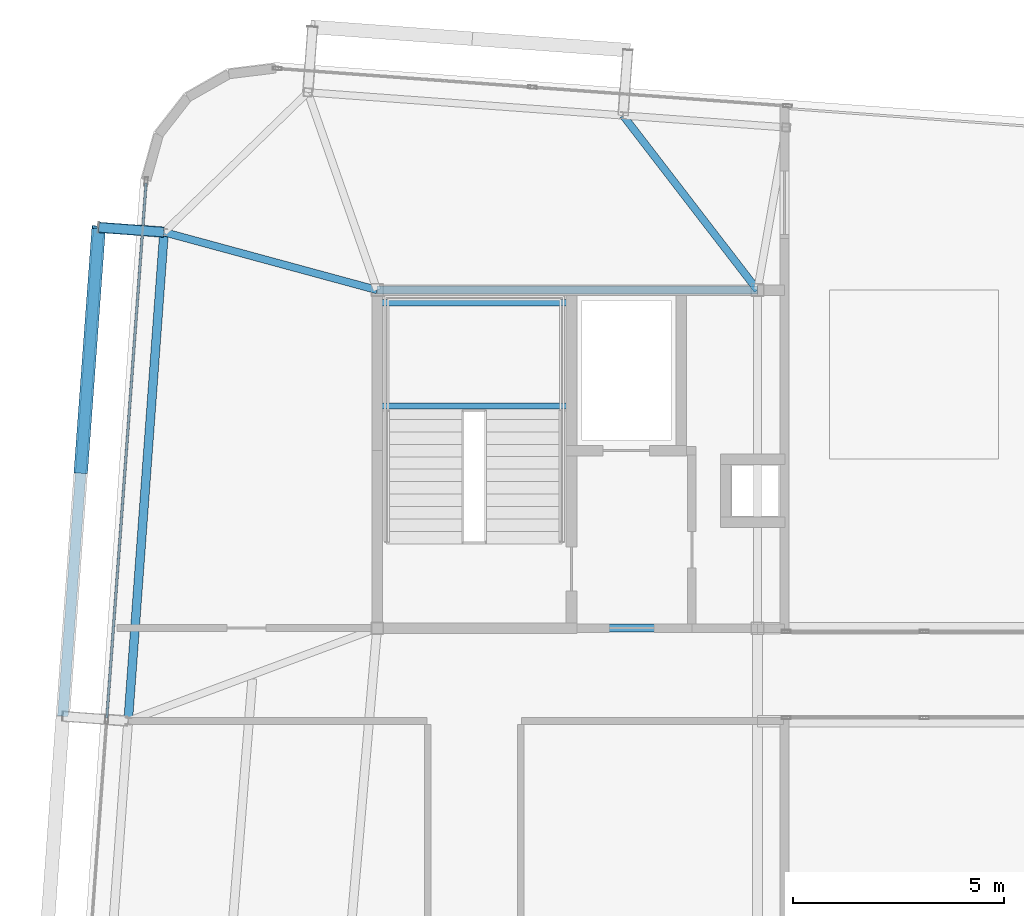
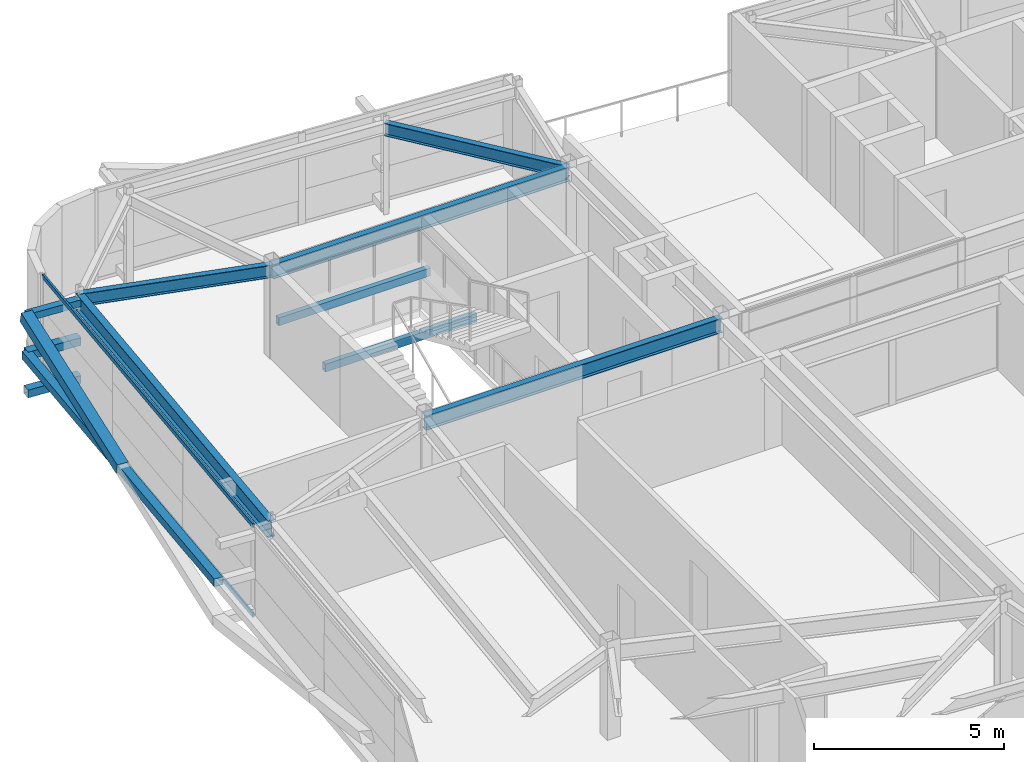
# One storey, part 14 of 36: 7 beams, 7 members, 1 element without a shape of its own.
"""IFC4 building model written with IfcOpenShell, lengths in metres."""

import ifcopenshell
import ifcopenshell.guid

model = None  # the IFC model being written
_history = None  # IfcOwnerHistory: only IFC2X3 demands one
_inside = {}  # id of a spatial element -> (the spatial element, [elements in it])
_under = {}  # id of a project, library or spatial element -> (it, [spatial elements below it])
_declared = {}  # id of a project -> (the project, [libraries it declares])
_typed = {}  # id of a type object -> (the type object, [elements of that type])
_made_of = {}  # id of a material, layer set ... -> (it, [elements and type objects made of it])


def new_model(schema):
    """Start an empty IFC model of exactly this schema.

    Asked for "IFC4X3", IfcOpenShell would pick the latest addendum, in which some entities
    have other attributes; the version numbers below select the first issue.
    IFC2X3 requires an IfcOwnerHistory on every rooted entity: one is made here for all.
    """
    global model, _history
    if schema == "IFC4X3":
        model = ifcopenshell.file(schema_version=(4, 3, 0, 0))
    else:
        model = ifcopenshell.file(schema=schema)
    _inside.clear()
    _under.clear()
    _declared.clear()
    _typed.clear()
    _made_of.clear()
    _history = None
    if model.schema == "IFC2X3":
        org = make("IfcOrganization", Name="unknown")
        user = make(
            "IfcPersonAndOrganization",
            ThePerson=make("IfcPerson", FamilyName="unknown"),
            TheOrganization=org,
        )
        app = make(
            "IfcApplication",
            ApplicationDeveloper=org,
            Version="unknown",
            ApplicationFullName="unknown",
            ApplicationIdentifier="unknown",
        )
        _history = make(
            "IfcOwnerHistory",
            OwningUser=user,
            OwningApplication=app,
            ChangeAction="ADDED",
            CreationDate=0,
        )
    return model


def make(cls, **values):
    """One entity of the class cls with the attributes given. An attribute that is None is left unset."""
    return model.create_entity(
        cls, **{name: value for name, value in values.items() if value is not None}
    )


def rooted(cls, **values):
    """An entity with a GlobalId (a new one), such as an element, a storey or a relation."""
    return make(cls, GlobalId=ifcopenshell.guid.new(), OwnerHistory=_history, **values)


def si_unit(unit_type, name, prefix=None):
    """IfcSIUnit, for example si_unit("LENGTHUNIT", "METRE", prefix="MILLI")."""
    return make("IfcSIUnit", UnitType=unit_type, Prefix=prefix, Name=name)


def assignment(units):
    """IfcUnitAssignment: the units of a project."""
    return None if units is None else make("IfcUnitAssignment", Units=units)


def point(xyz):
    """IfcCartesianPoint."""
    return None if xyz is None else make("IfcCartesianPoint", Coordinates=xyz)


def direction(xyz):
    """IfcDirection."""
    return None if xyz is None else make("IfcDirection", DirectionRatios=xyz)


def frame(location, z_axis=None, x_axis=None):
    """IfcAxis2Placement3D, a coordinate frame: its origin and axes. An axis left out is left unset."""
    return make(
        "IfcAxis2Placement3D",
        Location=point(location),
        Axis=direction(z_axis),
        RefDirection=direction(x_axis),
    )


def frame_2d(location, x_axis=None):
    """IfcAxis2Placement2D, a coordinate frame in the plane: its origin and x axis."""
    return make(
        "IfcAxis2Placement2D", Location=point(location), RefDirection=direction(x_axis)
    )


def origin():
    """The frame at (0, 0, 0) with its axes left unset."""
    return frame((0.0, 0.0, 0.0))


def origin_2d():
    """The frame at (0, 0) in the plane with its x axis left unset."""
    return frame_2d((0.0, 0.0))


def place(relative_to, where):
    """IfcLocalPlacement: puts the frame where relative to a parent placement (None: the world)."""
    return make(
        "IfcLocalPlacement", PlacementRelTo=relative_to, RelativePlacement=where
    )


def context(
    kind, dimensions, precision=None, world=None, true_north=None, identifier=None
):
    """IfcGeometricRepresentationContext, for example the 3D "Model" context."""
    return make(
        "IfcGeometricRepresentationContext",
        ContextIdentifier=identifier,
        ContextType=kind,
        CoordinateSpaceDimension=dimensions,
        Precision=precision,
        WorldCoordinateSystem=world,
        TrueNorth=true_north,
    )


def subcontext(parent, identifier, kind, view, scale=None):
    """IfcGeometricRepresentationSubContext, for example "Body" below "Model"."""
    return make(
        "IfcGeometricRepresentationSubContext",
        ContextIdentifier=identifier,
        ContextType=kind,
        ParentContext=parent,
        TargetScale=scale,
        TargetView=view,
    )


def project(units=None, contexts=None):
    """IfcProject with its units and contexts."""
    return rooted(
        "IfcProject",
        Name="project",
        RepresentationContexts=contexts,
        UnitsInContext=assignment(units),
    )


def spatial(cls, under=None, at=None, **own):
    """A site, building, storey or space (cls), placed at a placement, below another one or the project."""
    s = rooted(cls, ObjectPlacement=at, **own)
    if under is not None:
        _under.setdefault(under.id(), (under, []))[1].append(s)
    return s


def profile(cls, at=None, kind="AREA", **sizes):
    """A parametric profile (cls). Its sizes go by their IFC names, for example OverallWidth=200.0."""
    return make(cls, ProfileType=kind, Position=at, **sizes)


def hollow_rectangle(**sizes):
    """IfcRectangleHollowProfileDef."""
    return profile("IfcRectangleHollowProfileDef", **sizes)


def i_section(**sizes):
    """IfcIShapeProfileDef."""
    return profile("IfcIShapeProfileDef", **sizes)


def extrude(swept, where, along, depth):
    """IfcExtrudedAreaSolid: the profile swept, set in the frame where, extruded along a direction by depth."""
    return make(
        "IfcExtrudedAreaSolid",
        SweptArea=swept,
        Position=where,
        ExtrudedDirection=direction(along),
        Depth=depth,
    )


def shape(context_of_items, identifier, shape_type, items):
    """IfcShapeRepresentation: the items that make up one representation, for example the "Body"."""
    return make(
        "IfcShapeRepresentation",
        ContextOfItems=context_of_items,
        RepresentationIdentifier=identifier,
        RepresentationType=shape_type,
        Items=items,
    )


def source(mapping_origin, context_of_items, identifier, shape_type, items):
    """IfcRepresentationMap: a shape defined once, which mapped items show again and again."""
    return make(
        "IfcRepresentationMap",
        MappingOrigin=mapping_origin,
        MappedRepresentation=shape(context_of_items, identifier, shape_type, items),
    )


def transform(
    local_origin,
    x_axis=None,
    y_axis=None,
    z_axis=None,
    scale=None,
    scale2=None,
    scale3=None,
    uniform=True,
):
    """IfcCartesianTransformationOperator3D, or its non-uniform kind. x_axis, y_axis, z_axis: its Axis1, 2, 3."""
    if uniform:
        return make(
            "IfcCartesianTransformationOperator3D",
            Axis1=direction(x_axis),
            Axis2=direction(y_axis),
            LocalOrigin=point(local_origin),
            Scale=scale,
            Axis3=direction(z_axis),
        )
    return make(
        "IfcCartesianTransformationOperator3DnonUniform",
        Axis1=direction(x_axis),
        Axis2=direction(y_axis),
        LocalOrigin=point(local_origin),
        Scale=scale,
        Axis3=direction(z_axis),
        Scale2=scale2,
        Scale3=scale3,
    )


def mapped(mapping_source, mapping_target):
    """IfcMappedItem: shows the shape of a source again, moved by a transform."""
    return make(
        "IfcMappedItem", MappingSource=mapping_source, MappingTarget=mapping_target
    )


def material(Name=None, Category=None):
    """IfcMaterial."""
    return make("IfcMaterial", Name=Name, Category=Category)


def layer(
    of_material, thickness, ventilated=None, Name=None, Category=None, Priority=None
):
    """IfcMaterialLayer: one layer of a wall or slab, of a material (None: an air gap)."""
    return make(
        "IfcMaterialLayer",
        Material=of_material,
        LayerThickness=thickness,
        IsVentilated=ventilated,
        Name=Name,
        Category=Category,
        Priority=Priority,
    )


def layer_set(layers, Name=None):
    """IfcMaterialLayerSet."""
    return make("IfcMaterialLayerSet", MaterialLayers=layers, LayerSetName=Name)


def material_profile(
    of_material, cross_section, Name=None, Category=None, Priority=None
):
    """IfcMaterialProfile: a cross section and its material."""
    return make(
        "IfcMaterialProfile",
        Name=Name,
        Material=of_material,
        Profile=cross_section,
        Priority=Priority,
        Category=Category,
    )


def profile_set(profiles, Name=None, composite=None):
    """IfcMaterialProfileSet."""
    return make(
        "IfcMaterialProfileSet",
        Name=Name,
        MaterialProfiles=profiles,
        CompositeProfile=composite,
    )


def made_of(thing, what):
    """Note that an element or type object is made of a material, layer set ...; save() writes the relation."""
    if what is not None:
        _made_of.setdefault(what.id(), (what, []))[1].append(thing)
    return thing


def type_object(cls, material=None, **own):
    """A type object (cls), such as IfcWallType, which elements share."""
    return made_of(rooted(cls, **own), material)


def element(
    cls,
    number,
    at=None,
    inside=None,
    cuts=None,
    type_object=None,
    material=None,
    context=None,
    identifier="Body",
    shape_type=None,
    held_by="IfcProductDefinitionShape",
    body=None,
    shapes=None,
    **own,
):
    """One element of the class cls, such as IfcWall. Its Tag is "e" and its number.

    at: its placement. inside: the storey or other place that contains it. cuts: it is an
    opening in that element (IfcRelVoidsElement). A single representation is given by context,
    identifier, shape_type and body (its items); several are given by shapes. held_by: the class
    of the entity that holds the representations. save() writes the other relations.
    """
    e = rooted(cls, Tag="e%d" % number, ObjectPlacement=at, **own)
    if body is not None:
        shapes = [shape(context, identifier, shape_type, body)]
    if shapes is not None:
        e.Representation = make(held_by, Representations=shapes)
    if inside is not None:
        _inside.setdefault(inside.id(), (inside, []))[1].append(e)
    if cuts is not None:
        rooted(
            "IfcRelVoidsElement", RelatingBuildingElement=cuts, RelatedOpeningElement=e
        )
    if type_object is not None:
        _typed.setdefault(type_object.id(), (type_object, []))[1].append(e)
    return made_of(e, material)


def aggregate(whole, parts):
    """IfcRelAggregates: a whole, such as a stair, and the parts it consists of."""
    return rooted("IfcRelAggregates", RelatingObject=whole, RelatedObjects=parts)


def save(model, path):
    """Write the relations noted so far, then the file.

    IfcRelAggregates (storeys below a building ...), IfcRelContainedInSpatialStructure (elements
    in a storey), IfcRelDefinesByType, IfcRelAssociatesMaterial and IfcRelDeclares: one each for
    every whole, place, type object, material and project.
    """
    for whole, parts in _under.values():
        aggregate(whole, parts)
    for where, things in _inside.values():
        rooted(
            "IfcRelContainedInSpatialStructure",
            RelatedElements=things,
            RelatingStructure=where,
        )
    for kind, things in _typed.values():
        rooted("IfcRelDefinesByType", RelatedObjects=things, RelatingType=kind)
    for what, things in _made_of.values():
        rooted("IfcRelAssociatesMaterial", RelatedObjects=things, RelatingMaterial=what)
    for by, libraries in _declared.values():
        rooted("IfcRelDeclares", RelatingContext=by, RelatedDefinitions=libraries)
    model.write(path)


model = new_model("IFC4")

# Units and contexts
model_context = context("Model", 3, precision=1e-05, world=origin(), true_north=direction((0.0, 1.0)))
body_context = subcontext(model_context, "Body", "Model", "MODEL_VIEW")
ifc_project = project(units=[si_unit("LENGTHUNIT", "METRE"), si_unit("AREAUNIT", "SQUARE_METRE"), si_unit("VOLUMEUNIT", "CUBIC_METRE"), si_unit("PLANEANGLEUNIT", "RADIAN"), si_unit("MASSUNIT", "GRAM", prefix="KILO")], contexts=[model_context])

# Site, building, storey
site_placement = place(None, origin())
site = spatial("IfcSite", under=ifc_project, at=site_placement, CompositionType="ELEMENT")
building_placement = place(site_placement, origin())
building = spatial("IfcBuilding", under=site, at=building_placement, Name="Taldren Reach Tower", CompositionType="ELEMENT")
storey_placement = place(building_placement, frame((0.0, 0.0, 227.14990234375)))
storey = spatial("IfcBuildingStorey", under=building, at=storey_placement, Name="L69", CompositionType="ELEMENT", Elevation=227.14990234375)

# Beams
ifc_material_1 = material(Name="Steel Gr 350 (350PLUS)", Category="steel")
ifc_material_profile_1 = material_profile(ifc_material_1, i_section(OverallWidth=0.19091796875, OverallDepth=0.4599609375, WebThickness=0.010009765625, FlangeThickness=0.01611328125, at=origin_2d()), Name="460UB82.1")
ifc_profile_set_1 = profile_set([ifc_material_profile_1], Name="Steel Gr 350 (350PLUS)")
beam_type_1 = type_object("IfcBeamType", Name="BM-UB460A", PredefinedType="BEAM", material=ifc_profile_set_1)
shared_shape_1 = source(origin(), body_context, "Body", "SweptSolid", [
    extrude(i_section(OverallWidth=0.19091796875, OverallDepth=0.4599609375, WebThickness=0.010009765625, FlangeThickness=0.01611328125, at=origin_2d()), origin(), (0.0, 0.0, 1.0), 9.0),
])
for number, where, z_axis, x_axis, name in (
    (1, (19.0, 24.0, 2.7001953125), (1.0, 0.0, 0.0), (0.0, 1.0, 0.0), "Core-spine girder L69-SP01"),
    (2, (19.0, 32.0, 2.7001953125), (1.0, 0.0, 0.0), (0.0, 1.0, 0.0), "Core-spine girder L69-SP04"),
):
    element("IfcBeam", number, at=place(storey_placement, frame(where, z_axis=z_axis, x_axis=x_axis)), inside=storey, type_object=beam_type_1, Name=name, PredefinedType="BEAM", context=body_context, shape_type="MappedRepresentation", body=[
        mapped(shared_shape_1, transform((0.0, 0.0, 0.0), scale=1.0)),
    ])
ifc_material_profile_2 = material_profile(ifc_material_1, i_section(OverallWidth=0.208984375, OverallDepth=0.528076171875, WebThickness=0.009521484375, FlangeThickness=0.01318359375, at=origin_2d()), Name="530UB82.0")
ifc_profile_set_2 = profile_set([ifc_material_profile_2], Name="Steel Gr 350 (350PLUS)")
beam_type_2 = type_object("IfcBeamType", Name="SP-UB530B", PredefinedType="SPANDREL", material=ifc_profile_set_2)
shared_shape_2 = source(origin(), body_context, "Body", "SweptSolid", [
    extrude(i_section(OverallWidth=0.208984375, OverallDepth=0.528076171875, WebThickness=0.009521484375, FlangeThickness=0.01318359375, at=origin_2d()), origin(), (0.0, 0.0, 1.0), 11.60009765625),
])
beam_1_placement = place(storey_placement, frame((13.958251953125, 33.369140625, 2.666015625), z_axis=(-0.073242167855, -0.997314185625, 0.0), x_axis=(0.997314185625, -0.073242167855, 0.0)))
element("IfcBeam", 3, at=beam_1_placement, inside=storey, type_object=beam_type_2, Name="Perimeter spandrel B5 W3-W2 L69", PredefinedType="SPANDREL", context=body_context, shape_type="MappedRepresentation", body=[
    mapped(shared_shape_2, transform((0.0, 0.0, 0.0), scale=1.0)),
])
ifc_material_profile_3 = material_profile(ifc_material_1, i_section(OverallWidth=0.177978515625, OverallDepth=0.406005859375, WebThickness=0.0078125, FlangeThickness=0.0126953125, at=origin_2d()), Name="410UB59.7")
ifc_profile_set_3 = profile_set([ifc_material_profile_3], Name="Steel Gr 350 (350PLUS)")
beam_type_3 = type_object("IfcBeamType", Name="BM-UB410", PredefinedType="BEAM", material=ifc_profile_set_3)
shared_shape_3 = source(origin(), body_context, "Body", "SweptSolid", [
    extrude(i_section(OverallWidth=0.177978515625, OverallDepth=0.406005859375, WebThickness=0.0078125, FlangeThickness=0.0126953125, at=origin_2d()), origin(), (0.0, 0.0, 1.0), 5.213623046875),
])
beam_2_placement = place(storey_placement, frame((28.0, 32.0, 2.72705078125), z_axis=(-0.61002980411, 0.792378468976, 0.0), x_axis=(-0.792378468976, -0.61002980411, 0.0)))
element("IfcBeam", 4, at=beam_2_placement, inside=storey, type_object=beam_type_3, Name="Primary floor girder B5-N2 L69", PredefinedType="BEAM", context=body_context, shape_type="MappedRepresentation", body=[
    mapped(shared_shape_3, transform((0.0, 0.0, 0.0), scale=1.0)),
])
shared_shape_4 = source(origin(), body_context, "Body", "SweptSolid", [
    extrude(i_section(OverallWidth=0.177978515625, OverallDepth=0.406005859375, WebThickness=0.0078125, FlangeThickness=0.0126953125, at=origin_2d()), origin(), (0.0, 0.0, 1.0), 5.224365234375),
])
beam_3_placement = place(storey_placement, frame((19.0, 32.0, 2.72705078125), z_axis=(-0.965049032336, 0.262069390022, 0.0), x_axis=(-0.262069390022, -0.965049032336, 0.0)))
element("IfcBeam", 5, at=beam_3_placement, inside=storey, type_object=beam_type_3, Name="Primary floor girder B5-W3 L69", PredefinedType="BEAM", context=body_context, shape_type="MappedRepresentation", body=[
    mapped(shared_shape_4, transform((0.0, 0.0, 0.0), scale=1.0)),
])

# Members
ifc_material_2 = material(Name="Steel Gr 450 (C450L0)", Category="steel")
ifc_material_profile_4 = material_profile(ifc_material_2, hollow_rectangle(XDim=0.219970703125, YDim=0.219970703125, WallThickness=0.00830078125, at=origin_2d()), Name="220x220x8.2SHS")
ifc_profile_set_4 = profile_set([ifc_material_profile_4], Name="Steel Gr 450 (C450L0)")
member_type_1 = type_object("IfcMemberType", Name="MB-TIE219", PredefinedType="STRUT", material=ifc_profile_set_4)
shared_shape_5 = source(origin(), body_context, "Body", "SweptSolid", [
    extrude(hollow_rectangle(XDim=0.219970703125, YDim=0.219970703125, WallThickness=0.00830078125, at=origin_2d()), origin(), (0.0, 0.0, 1.0), 1.5458984375),
])
member_1_placement = place(storey_placement, frame((13.9541015625, 33.369384765625, 2.650146484375), z_axis=(-0.997311530447, 0.073278313559, 0.0), x_axis=(-0.073278313559, -0.997311530447, 0.0)))
element("IfcMember", 6, at=member_1_placement, inside=storey, type_object=member_type_1, Name="Exoskeleton diaphragm tie strut B5-W3 L69", PredefinedType="STRUT", context=body_context, shape_type="MappedRepresentation", body=[
    mapped(shared_shape_5, transform((0.0, 0.0, 0.0), scale=1.0)),
])
ifc_material_profile_5 = material_profile(ifc_material_2, hollow_rectangle(XDim=0.324951171875, YDim=0.324951171875, WallThickness=0.0126953125, at=origin_2d()), Name="325x325x12.7SHS")
ifc_profile_set_5 = profile_set([ifc_material_profile_5], Name="Steel Gr 450 (C450L0)")
member_type_2 = type_object("IfcMemberType", Name="MB-BR324", PredefinedType="BRACE", material=ifc_profile_set_5)
shared_shape_6 = source(origin(), body_context, "Body", "SweptSolid", [
    extrude(hollow_rectangle(XDim=0.324951171875, YDim=0.324951171875, WallThickness=0.0126953125, at=origin_2d()), origin(), (0.0, 0.0, 1.0), 5.926025390625),
])
member_2_placement = place(storey_placement, frame((11.987548828125, 27.6982421875, 1.43505859375), z_axis=(0.071685935393, 0.976123486939, 0.205046494513), x_axis=(-0.997314185625, 0.073242167855, 0.0)))
element("IfcMember", 7, at=member_2_placement, inside=storey, type_object=member_type_2, Name="Exoskeleton Diagrid Brace B5-W2 L69", PredefinedType="BRACE", context=body_context, shape_type="MappedRepresentation", body=[
    mapped(shared_shape_6, transform((0.0, 0.0, 0.0), scale=1.0)),
])
ifc_material_3 = material(Name="Steel Gr 350 (C350L0)", Category="steel")
ifc_material_profile_6 = material_profile(ifc_material_3, hollow_rectangle(XDim=0.25, YDim=0.25, WallThickness=0.010009765625, at=origin_2d()), Name="250x250x10.0SHS")
ifc_profile_set_6 = profile_set([ifc_material_profile_6], Name="Steel Gr 350 (C350L0)")
member_type_3 = type_object("IfcMemberType", Name="MB-POST250", PredefinedType="POST", material=ifc_profile_set_6)
shared_shape_7 = source(origin(), body_context, "Body", "SweptSolid", [
    extrude(hollow_rectangle(XDim=0.25, YDim=0.25, WallThickness=0.010009765625, at=origin_2d()), origin(), (0.0, 0.0, 1.0), 11.60009765625),
])
member_3_placement = place(storey_placement, frame((11.562744140625, 21.913818359375, 1.43505859375), z_axis=(0.073242167855, 0.997314185625, 0.0), x_axis=(-0.997314185625, 0.073242167855, 0.0)))
element("IfcMember", 8, at=member_3_placement, inside=storey, type_object=member_type_3, Name="Exoskeleton mid-height ring chord B5-W2 L69", PredefinedType="POST", context=body_context, shape_type="MappedRepresentation", body=[
    mapped(shared_shape_7, transform((0.0, 0.0, 0.0), scale=1.0)),
])
shared_shape_8 = source(origin(), body_context, "Body", "SweptSolid", [
    extrude(hollow_rectangle(XDim=0.25, YDim=0.25, WallThickness=0.010009765625, at=origin_2d()), origin(), (0.0, 0.0, 1.0), 1.5458984375),
])
for number, where, z_axis, x_axis, name in (
    (9, (13.9541015625, 33.369384765625, 0.22021484375), (-0.997311530447, 0.073278313559, 0.0), (-0.073278313559, -0.997311530447, 0.0), "Exoskeleton base diaphragm tie strut B5-W3 L69"),
    (10, (13.9541015625, 33.369384765625, 1.43505859375), (-0.997311530447, 0.073278313559, 0.0), (-0.073278313559, -0.997311530447, 0.0), "Exoskeleton mid-tier diaphragm tie B5-W3 L69"),
):
    element("IfcMember", number, at=place(storey_placement, frame(where, z_axis=z_axis, x_axis=x_axis)), inside=storey, type_object=member_type_3, Name=name, PredefinedType="POST", context=body_context, shape_type="MappedRepresentation", body=[
        mapped(shared_shape_8, transform((0.0, 0.0, 0.0), scale=1.0)),
    ])

# Curtain wall, members
ifc_material_4 = material(Name="Aluminium and Low-E Glass Unitised System", Category="aluminium")
ifc_layer = layer(ifc_material_4, 0.159912109375)
ifc_layer_set = layer_set([ifc_layer], Name="Aluminium and Low-E Glass Unitised System")
curtain_wall_type = type_object("IfcCurtainWallType", Name="CW-SYS-7", PredefinedType="NOTDEFINED", material=ifc_layer_set)
curtain_wall_placement = place(storey_placement, origin())
curtain_wall = element("IfcCurtainWall", 11, at=curtain_wall_placement, inside=storey, type_object=curtain_wall_type, Name="Unitised curtain wall CW-L69-W", PredefinedType="NOTDEFINED")
ifc_material_5 = material(Name="Anodised Aluminium 6063-T6", Category="aluminium")
ifc_material_profile_7 = material_profile(ifc_material_5, hollow_rectangle(XDim=0.06005859375, YDim=0.135009765625, WallThickness=0.00341796875, at=origin_2d()), Name="ALU-135x60x3.5RHS")
ifc_profile_set_7 = profile_set([ifc_material_profile_7], Name="Anodised Aluminium 6063-T6")
member_type_4 = type_object("IfcMemberType", Name="CW-TRN-150", PredefinedType="USERDEFINED", material=ifc_profile_set_7)
shared_shape_9 = source(origin(), body_context, "Body", "SweptSolid", [
    extrude(hollow_rectangle(XDim=0.06005859375, YDim=0.135009765625, WallThickness=0.00341796875, at=origin_2d()), origin(), (0.0, 0.0, 1.0), 12.6875),
])
member_4_placement = place(storey_placement, frame((13.531982421875, 34.5283203125, 0.030029296875), z_axis=(-0.073237997916, -0.997314491854, 0.0), x_axis=(0.997314491854, -0.073237997916, 0.0)))
member_4 = element("IfcMember", 12, at=member_4_placement, type_object=member_type_4, Name="CW-7 transom 1.1", ObjectType="TRANSOM", PredefinedType="USERDEFINED", context=body_context, shape_type="MappedRepresentation", body=[
    mapped(shared_shape_9, transform((0.0, 0.0, 0.0), scale=1.0)),
])
member_5_placement = place(storey_placement, frame((13.531982421875, 34.5283203125, 2.900146484375), z_axis=(-0.073237997916, -0.997314491854, 0.0), x_axis=(0.997314491854, -0.073237997916, 0.0)))
member_5 = element("IfcMember", 13, at=member_5_placement, type_object=member_type_4, Name="CW-7 transom 1.2", ObjectType="TRANSOM", PredefinedType="USERDEFINED", context=body_context, shape_type="MappedRepresentation", body=[
    mapped(shared_shape_9, transform((0.0, 0.0, 0.0), scale=1.0)),
])
aggregate(curtain_wall, [member_4, member_5])

# Beams
ifc_material_profile_8 = material_profile(ifc_material_3, hollow_rectangle(XDim=0.14990234375, YDim=0.25, WallThickness=0.009033203125, at=origin_2d()), Name="250x150x9.0RHS")
ifc_profile_set_8 = profile_set([ifc_material_profile_8], Name="Steel Gr 350 (C350L0)")
beam_type_4 = type_object("IfcBeamType", Name="LN-RHS250", PredefinedType="LINTEL", material=ifc_profile_set_8)
shared_shape_10 = source(origin(), body_context, "Body", "SweptSolid", [
    extrude(hollow_rectangle(XDim=0.14990234375, YDim=0.25, WallThickness=0.009033203125, at=origin_2d()), origin(), (0.0, 0.0, 1.0), 4.60009765625),
])
for number, where, z_axis, x_axis, name in (
    (14, (19.0, 29.2548828125, 1.27001953125), (1.0, 0.0, 0.0), (0.0, 1.0, 0.0), "Stair half-landing support beam ST1-L69-1"),
    (15, (19.0, 31.699951171875, 1.27001953125), (1.0, 0.0, 0.0), (0.0, 1.0, 0.0), "Stair half-landing support beam ST1-L69-2"),
):
    element("IfcBeam", number, at=place(storey_placement, frame(where, z_axis=z_axis, x_axis=x_axis)), inside=storey, type_object=beam_type_4, Name=name, PredefinedType="LINTEL", context=body_context, shape_type="MappedRepresentation", body=[
        mapped(shared_shape_10, transform((0.0, 0.0, 0.0), scale=1.0)),
    ])

save(model, "model.ifc")
